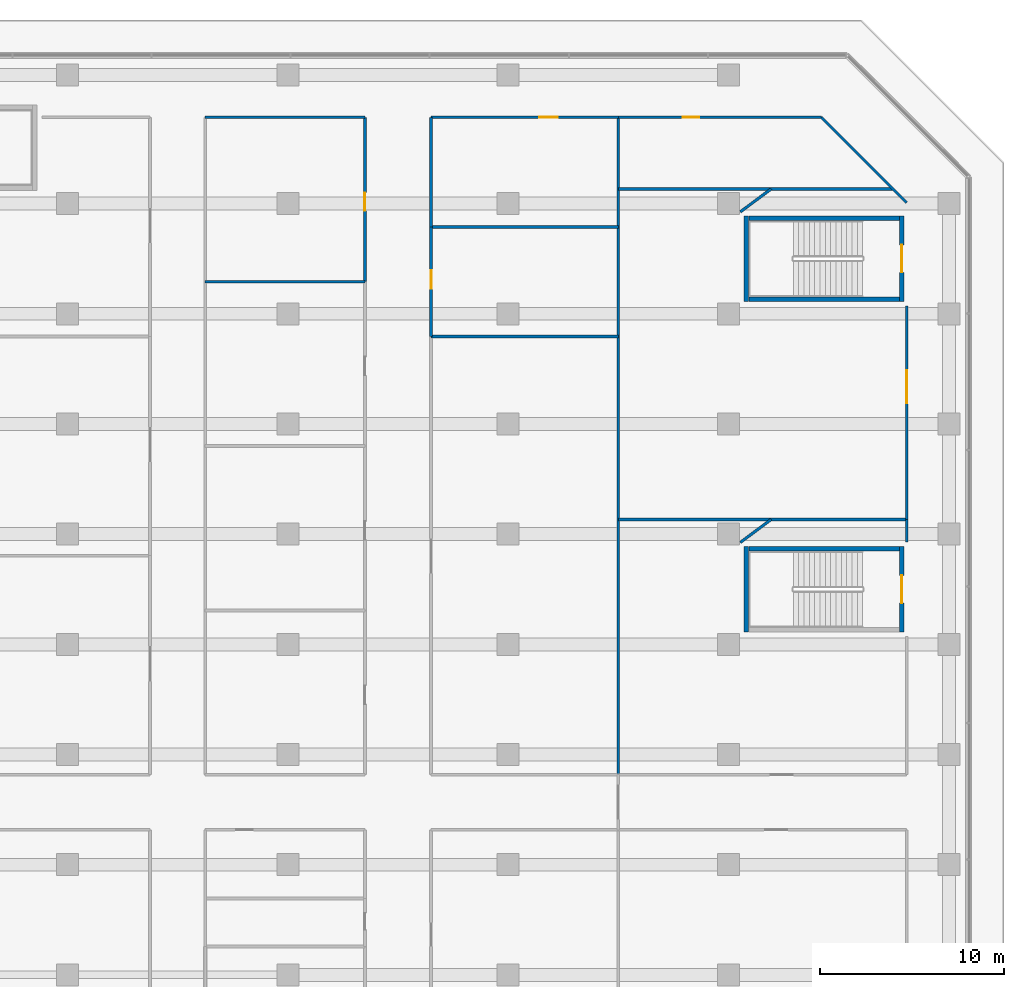
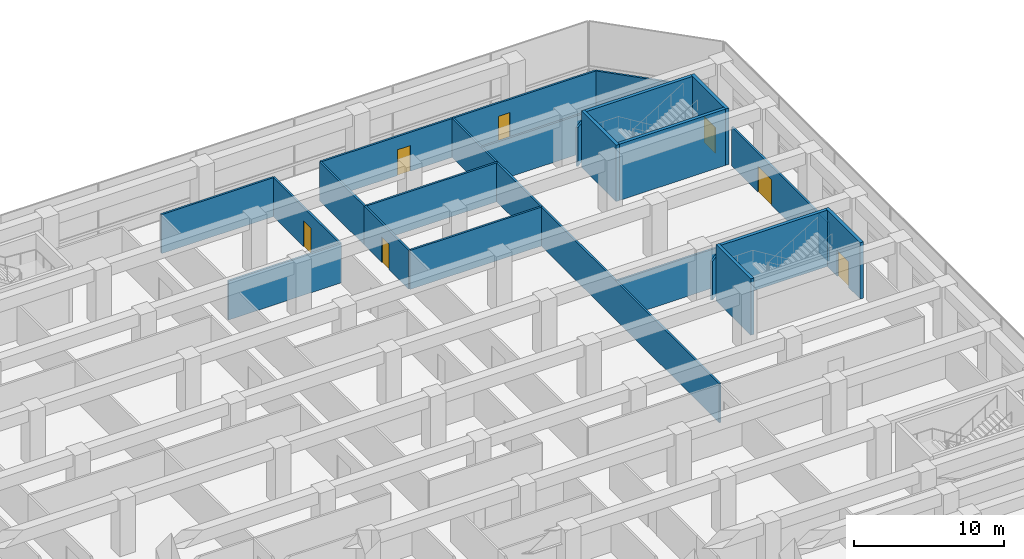
# One storey, part 32 of 40: 24 walls, 7 doors, 7 openings.
"""IFC4 building model written with IfcOpenShell, lengths in metres."""

from ifc_helpers import new_model, si_unit, direction, frame, frame_2d, origin, place, context, subcontext, project, spatial, rectangle, extrude, material, layer, layer_set, type_object, element, fill, save


model = new_model("IFC4")

# Units and contexts
model_context = context("Model", 3, precision=1e-05, world=origin(), true_north=direction((0.0, 1.0)))
body_context = subcontext(model_context, "Body", "Model", "MODEL_VIEW")
ifc_project = project(units=[si_unit("LENGTHUNIT", "METRE"), si_unit("AREAUNIT", "SQUARE_METRE"), si_unit("VOLUMEUNIT", "CUBIC_METRE"), si_unit("PLANEANGLEUNIT", "RADIAN"), si_unit("MASSUNIT", "GRAM", prefix="KILO")], contexts=[model_context])

# Site, building, storey
site_placement = place(None, origin())
site = spatial("IfcSite", under=ifc_project, at=site_placement, CompositionType="ELEMENT")
building_placement = place(site_placement, origin())
building = spatial("IfcBuilding", under=site, at=building_placement, Name="Welwitschia Terrace Campus", CompositionType="ELEMENT")
storey_placement = place(building_placement, frame((0.0, 0.0, 6.0)))
storey = spatial("IfcBuildingStorey", under=building, at=storey_placement, Name="L01", CompositionType="ELEMENT", Elevation=6.0)

# Wall
ifc_material_1 = material(Name="Concrete C50/60", Category="concrete")
ifc_layer_1 = layer(ifc_material_1, 0.25)
ifc_layer_set_1 = layer_set([ifc_layer_1], Name="Concrete C50/60")
wall_type_1 = type_object("IfcWallType", Name="Core wall 250 Concrete C50/60", PredefinedType="SHEAR", material=ifc_layer_set_1)
wall_1_placement = place(storey_placement, frame((84.97509765625, 56.675048828125, 0.0), z_axis=(0.0, 0.0, 1.0), x_axis=(0.0, 1.0, 0.0)))
element("IfcWall", 1, at=wall_1_placement, inside=storey, type_object=wall_type_1, Name="Core wall", PredefinedType="SHEAR", context=body_context, shape_type="SweptSolid", body=[
    extrude(rectangle(XDim=4.64990234375, YDim=0.25, at=frame_2d((2.324951171875, 0.0))), origin(), (0.0, 0.0, 1.0), 4.60009765625),
])

# Wall, opening, door
wall_2_placement = place(storey_placement, frame((93.425048828125, 61.324951171875, 0.0), z_axis=(0.0, 0.0, 1.0), x_axis=(0.0, -1.0, 0.0)))
wall_2 = element("IfcWall", 2, at=wall_2_placement, inside=storey, type_object=wall_type_1, Name="Core wall", PredefinedType="SHEAR", context=body_context, shape_type="SweptSolid", body=[
    extrude(rectangle(XDim=4.64990234375, YDim=0.25, at=frame_2d((2.324951171875, 0.0))), origin(), (0.0, 0.0, 1.0), 4.60009765625),
])
opening_1_placement = place(wall_2_placement, frame((1.574951171875, 0.0, 0.0)))
opening_1 = element("IfcOpeningElement", 3, at=opening_1_placement, cuts=wall_2, Name="Opening DS15", PredefinedType="OPENING", context=body_context, shape_type="SweptSolid", body=[
    extrude(rectangle(XDim=1.5, YDim=2.10009765625, at=frame_2d((0.75, 1.050048828125))), frame((0.0, 0.135009765625, 0.0), z_axis=(0.0, -1.0, 0.0), x_axis=(1.0, 0.0, 0.0)), (0.0, 0.0, 1.0), 0.27001953125),
])
ifc_material_2 = material(Name="Steel S275", Category="steel")
door_type_1 = type_object("IfcDoorType", Name="Core door DS15", OperationType="DOUBLE_DOOR_SINGLE_SWING", PredefinedType="DOOR", material=ifc_material_2)
door_1_placement = place(opening_1_placement, origin())
door_1 = element("IfcDoor", 4, at=door_1_placement, inside=storey, type_object=door_type_1, Name="Door P3", OperationType="DOUBLE_DOOR_SINGLE_SWING", OverallHeight=2.10009765625, OverallWidth=1.5, PredefinedType="DOOR", context=body_context, shape_type="SweptSolid", body=[
    extrude(rectangle(XDim=1.5, YDim=2.10009765625, at=frame_2d((0.75, 1.050048828125))), frame((0.0, 0.02490234375, 0.0), z_axis=(0.0, -1.0, 0.0), x_axis=(1.0, 0.0, 0.0)), (0.0, 0.0, 1.0), 0.050048828125),
])
fill(opening_1, door_1)

# Walls
for number, where, z_axis, x_axis, name in (
    (5, (85.10009765625, 56.800048828125, 0.0), (0.0, 0.0, 1.0), (1.0, 0.0, 0.0), "Core wall"),
    (6, (85.10009765625, 61.199951171875, 0.0), (0.0, 0.0, 1.0), (1.0, 0.0, 0.0), "Core wall"),
):
    element("IfcWall", number, at=place(storey_placement, frame(where, z_axis=z_axis, x_axis=x_axis)), inside=storey, type_object=wall_type_1, Name=name, PredefinedType="SHEAR", context=body_context, shape_type="SweptSolid", body=[
        extrude(rectangle(XDim=8.199951171875, YDim=0.25, at=frame_2d((4.10009765625, 0.0))), origin(), (0.0, 0.0, 1.0), 4.60009765625),
    ])
wall_3_placement = place(storey_placement, frame((84.97509765625, 38.675048828125, 0.0), z_axis=(0.0, 0.0, 1.0), x_axis=(0.0, 1.0, 0.0)))
element("IfcWall", 7, at=wall_3_placement, inside=storey, type_object=wall_type_1, Name="Core wall", PredefinedType="SHEAR", context=body_context, shape_type="SweptSolid", body=[
    extrude(rectangle(XDim=4.64990234375, YDim=0.25, at=frame_2d((2.324951171875, 0.0))), origin(), (0.0, 0.0, 1.0), 4.60009765625),
])

# Wall, opening, door
wall_4_placement = place(storey_placement, frame((93.425048828125, 43.324951171875, 0.0), z_axis=(0.0, 0.0, 1.0), x_axis=(0.0, -1.0, 0.0)))
wall_4 = element("IfcWall", 8, at=wall_4_placement, inside=storey, type_object=wall_type_1, Name="Core wall", PredefinedType="SHEAR", context=body_context, shape_type="SweptSolid", body=[
    extrude(rectangle(XDim=4.64990234375, YDim=0.25, at=frame_2d((2.324951171875, 0.0))), origin(), (0.0, 0.0, 1.0), 4.60009765625),
])
opening_2_placement = place(wall_4_placement, frame((1.574951171875, 0.0, 0.0)))
opening_2 = element("IfcOpeningElement", 9, at=opening_2_placement, cuts=wall_4, Name="Opening DS15", PredefinedType="OPENING", context=body_context, shape_type="SweptSolid", body=[
    extrude(rectangle(XDim=1.5, YDim=2.10009765625, at=frame_2d((0.75, 1.050048828125))), frame((0.0, 0.135009765625, 0.0), z_axis=(0.0, -1.0, 0.0), x_axis=(1.0, 0.0, 0.0)), (0.0, 0.0, 1.0), 0.27001953125),
])
door_2_placement = place(opening_2_placement, origin())
door_2 = element("IfcDoor", 10, at=door_2_placement, inside=storey, type_object=door_type_1, Name="Door P8", OperationType="DOUBLE_DOOR_SINGLE_SWING", OverallHeight=2.10009765625, OverallWidth=1.5, PredefinedType="DOOR", context=body_context, shape_type="SweptSolid", body=[
    extrude(rectangle(XDim=1.5, YDim=2.10009765625, at=frame_2d((0.75, 1.050048828125))), frame((0.0, 0.02490234375, 0.0), z_axis=(0.0, -1.0, 0.0), x_axis=(1.0, 0.0, 0.0)), (0.0, 0.0, 1.0), 0.050048828125),
])
fill(opening_2, door_2)

# Walls
wall_5_placement = place(storey_placement, frame((85.10009765625, 43.199951171875, 0.0), z_axis=(0.0, 0.0, 1.0), x_axis=(1.0, 0.0, 0.0)))
element("IfcWall", 11, at=wall_5_placement, inside=storey, type_object=wall_type_1, Name="Core wall", PredefinedType="SHEAR", context=body_context, shape_type="SweptSolid", body=[
    extrude(rectangle(XDim=8.199951171875, YDim=0.25, at=frame_2d((4.10009765625, 0.0))), origin(), (0.0, 0.0, 1.0), 4.60009765625),
])
ifc_material_3 = material(Name="Gypsum board on steel studs", Category="steel")
ifc_layer_2 = layer(ifc_material_3, 0.14990234375)
ifc_layer_set_2 = layer_set([ifc_layer_2], Name="Gypsum board on steel studs")
wall_type_2 = type_object("IfcWallType", Name="Corridor partition 150 EI 30", PredefinedType="PARTITIONING", material=ifc_layer_set_2)
for number, where, z_axis, x_axis, name in (
    (12, (55.5, 57.75, 0.0), (0.0, 0.0, 1.0), (1.0, 0.0, 0.0), "Partition"),
    (13, (55.5, 66.699951171875, 0.0), (0.0, 0.0, 1.0), (1.0, 0.0, 0.0), "Partition"),
):
    element("IfcWall", number, at=place(storey_placement, frame(where, z_axis=z_axis, x_axis=x_axis)), inside=storey, type_object=wall_type_2, Name=name, PredefinedType="PARTITIONING", context=body_context, shape_type="SweptSolid", body=[
        extrude(rectangle(XDim=8.699951171875, YDim=0.14990234375, at=frame_2d((4.35009765625, 0.0))), origin(), (0.0, 0.0, 1.0), 3.179931640625),
    ])

# Wall, opening, door
wall_6_placement = place(storey_placement, frame((64.199951171875, 57.75, 0.0), z_axis=(0.0, 0.0, 1.0), x_axis=(0.0, 1.0, 0.0)))
wall_6 = element("IfcWall", 14, at=wall_6_placement, inside=storey, type_object=wall_type_2, Name="Partition", PredefinedType="PARTITIONING", context=body_context, shape_type="SweptSolid", body=[
    extrude(rectangle(XDim=8.949951171875, YDim=0.14990234375, at=frame_2d((4.47509765625, 0.0))), origin(), (0.0, 0.0, 1.0), 3.179931640625),
])
opening_3_placement = place(wall_6_placement, frame((3.85009765625, 0.0, 0.0)))
opening_3 = element("IfcOpeningElement", 15, at=opening_3_placement, cuts=wall_6, Name="Opening DI10", PredefinedType="OPENING", context=body_context, shape_type="SweptSolid", body=[
    extrude(rectangle(XDim=1.0, YDim=2.10009765625, at=frame_2d((0.5, 1.050048828125))), frame((0.0, 0.0849609375, 0.0), z_axis=(0.0, -1.0, 0.0), x_axis=(1.0, 0.0, 0.0)), (0.0, 0.0, 1.0), 0.169921875),
])
ifc_material_4 = material(Name="Timber veneered door", Category="wood")
door_type_2 = type_object("IfcDoorType", Name="Interior door DI10", OperationType="NOTDEFINED", PredefinedType="DOOR", material=ifc_material_4)
door_3_placement = place(opening_3_placement, origin())
door_3 = element("IfcDoor", 16, at=door_3_placement, inside=storey, type_object=door_type_2, Name="Door L01 083", OperationType="SINGLE_SWING_RIGHT", OverallHeight=2.10009765625, OverallWidth=1.0, PredefinedType="DOOR", context=body_context, shape_type="SweptSolid", body=[
    extrude(rectangle(XDim=1.0, YDim=2.10009765625, at=frame_2d((0.5, 1.050048828125))), frame((0.0, 0.02490234375, 0.0), z_axis=(0.0, -1.0, 0.0), x_axis=(1.0, 0.0, 0.0)), (0.0, 0.0, 1.0), 0.050048828125),
])
fill(opening_3, door_3)

# Wall
wall_7_placement = place(storey_placement, frame((67.800048828125, 54.77001953125, 0.0), z_axis=(0.0, 0.0, 1.0), x_axis=(1.0, 0.0, 0.0)))
element("IfcWall", 17, at=wall_7_placement, inside=storey, type_object=wall_type_2, Name="Partition", PredefinedType="PARTITIONING", context=body_context, shape_type="SweptSolid", body=[
    extrude(rectangle(XDim=10.199951171875, YDim=0.14990234375, at=frame_2d((5.10009765625, 0.0))), origin(), (0.0, 0.0, 1.0), 3.179931640625),
])

# Wall, opening, door
wall_8_placement = place(storey_placement, frame((67.800048828125, 60.72998046875, 0.0), z_axis=(0.0, 0.0, 1.0), x_axis=(0.0, -1.0, 0.0)))
wall_8 = element("IfcWall", 18, at=wall_8_placement, inside=storey, type_object=wall_type_2, Name="Partition", PredefinedType="PARTITIONING", context=body_context, shape_type="SweptSolid", body=[
    extrude(rectangle(XDim=5.9599609375, YDim=0.14990234375, at=frame_2d((2.97998046875, 0.0))), origin(), (0.0, 0.0, 1.0), 3.179931640625),
])
opening_4_placement = place(wall_8_placement, frame((2.360107421875, 0.0, 0.0)))
opening_4 = element("IfcOpeningElement", 19, at=opening_4_placement, cuts=wall_8, Name="Opening DI10", PredefinedType="OPENING", context=body_context, shape_type="SweptSolid", body=[
    extrude(rectangle(XDim=1.0, YDim=2.10009765625, at=frame_2d((0.5, 1.050048828125))), frame((0.0, 0.0849609375, 0.0), z_axis=(0.0, -1.0, 0.0), x_axis=(1.0, 0.0, 0.0)), (0.0, 0.0, 1.0), 0.169921875),
])
door_4_placement = place(opening_4_placement, origin())
door_4 = element("IfcDoor", 20, at=door_4_placement, inside=storey, type_object=door_type_2, Name="Door L01 087", OperationType="SINGLE_SWING_RIGHT", OverallHeight=2.10009765625, OverallWidth=1.0, PredefinedType="DOOR", context=body_context, shape_type="SweptSolid", body=[
    extrude(rectangle(XDim=1.0, YDim=2.10009765625, at=frame_2d((0.5, 1.050048828125))), frame((0.0, 0.02490234375, 0.0), z_axis=(0.0, -1.0, 0.0), x_axis=(1.0, 0.0, 0.0)), (0.0, 0.0, 1.0), 0.050048828125),
])
fill(opening_4, door_4)

# Walls
wall_9_placement = place(storey_placement, frame((67.800048828125, 60.72998046875, 0.0), z_axis=(0.0, 0.0, 1.0), x_axis=(0.0, 1.0, 0.0)))
element("IfcWall", 21, at=wall_9_placement, inside=storey, type_object=wall_type_2, Name="Partition", PredefinedType="PARTITIONING", context=body_context, shape_type="SweptSolid", body=[
    extrude(rectangle(XDim=5.969970703125, YDim=0.14990234375, at=frame_2d((2.98486328125, 0.0))), origin(), (0.0, 0.0, 1.0), 3.179931640625),
])
wall_10_placement = place(storey_placement, frame((67.800048828125, 60.72998046875, 0.0), z_axis=(0.0, 0.0, 1.0), x_axis=(1.0, 0.0, 0.0)))
element("IfcWall", 22, at=wall_10_placement, inside=storey, type_object=wall_type_2, Name="Partition", PredefinedType="PARTITIONING", context=body_context, shape_type="SweptSolid", body=[
    extrude(rectangle(XDim=10.199951171875, YDim=0.14990234375, at=frame_2d((5.10009765625, 0.0))), origin(), (0.0, 0.0, 1.0), 3.179931640625),
])
wall_11_placement = place(storey_placement, frame((78.0, 30.89990234375, 0.0), z_axis=(0.0, 0.0, 1.0), x_axis=(0.0, 1.0, 0.0)))
element("IfcWall", 23, at=wall_11_placement, inside=storey, type_object=wall_type_2, Name="Partition", PredefinedType="PARTITIONING", context=body_context, shape_type="SweptSolid", body=[
    extrude(rectangle(XDim=35.800048828125, YDim=0.14990234375, at=frame_2d((17.89990234375, 0.0))), origin(), (0.0, 0.0, 1.0), 3.179931640625),
])
wall_12_placement = place(storey_placement, frame((78.0, 44.800048828125, 0.0), z_axis=(0.0, 0.0, 1.0), x_axis=(1.0, 0.0, 0.0)))
element("IfcWall", 24, at=wall_12_placement, inside=storey, type_object=wall_type_2, Name="Partition", PredefinedType="PARTITIONING", context=body_context, shape_type="SweptSolid", body=[
    extrude(rectangle(XDim=15.699951171875, YDim=0.14990234375, at=frame_2d((7.85009765625, 0.0))), origin(), (0.0, 0.0, 1.0), 3.179931640625),
])
wall_13_placement = place(storey_placement, frame((78.0, 62.800048828125, 0.0), z_axis=(0.0, 0.0, 1.0), x_axis=(1.0, 0.0, 0.0)))
element("IfcWall", 25, at=wall_13_placement, inside=storey, type_object=wall_type_2, Name="Partition", PredefinedType="PARTITIONING", context=body_context, shape_type="SweptSolid", body=[
    extrude(rectangle(XDim=14.949951171875, YDim=0.14990234375, at=frame_2d((7.47509765625, 0.0))), origin(), (0.0, 0.0, 1.0), 3.179931640625),
])

# Wall, opening, door
wall_14_placement = place(storey_placement, frame((78.0, 66.699951171875, 0.0), z_axis=(0.0, 0.0, 1.0), x_axis=(-1.0, 0.0, 0.0)))
wall_14 = element("IfcWall", 26, at=wall_14_placement, inside=storey, type_object=wall_type_2, Name="Partition", PredefinedType="PARTITIONING", context=body_context, shape_type="SweptSolid", body=[
    extrude(rectangle(XDim=10.199951171875, YDim=0.14990234375, at=frame_2d((5.10009765625, 0.0))), origin(), (0.0, 0.0, 1.0), 3.179931640625),
])
opening_5_placement = place(wall_14_placement, frame((3.300048828125, 0.0, 0.0)))
opening_5 = element("IfcOpeningElement", 27, at=opening_5_placement, cuts=wall_14, Name="Opening DI10", PredefinedType="OPENING", context=body_context, shape_type="SweptSolid", body=[
    extrude(rectangle(XDim=1.0, YDim=2.10009765625, at=frame_2d((0.5, 1.050048828125))), frame((0.0, 0.0849609375, 0.0), z_axis=(0.0, -1.0, 0.0), x_axis=(1.0, 0.0, 0.0)), (0.0, 0.0, 1.0), 0.169921875),
])
door_5_placement = place(opening_5_placement, origin())
door_5 = element("IfcDoor", 28, at=door_5_placement, inside=storey, type_object=door_type_2, Name="Door L01 090", OperationType="SINGLE_SWING_LEFT", OverallHeight=2.10009765625, OverallWidth=1.0, PredefinedType="DOOR", context=body_context, shape_type="SweptSolid", body=[
    extrude(rectangle(XDim=1.0, YDim=2.10009765625, at=frame_2d((0.5, 1.050048828125))), frame((0.0, 0.02490234375, 0.0), z_axis=(0.0, -1.0, 0.0), x_axis=(1.0, 0.0, 0.0)), (0.0, 0.0, 1.0), 0.050048828125),
])
fill(opening_5, door_5)

# Walls
for number, where, z_axis, x_axis, name in (
    (29, (84.639892578125, 43.550048828125, 0.0), (0.0, 0.0, 1.0), (0.802316318144, 0.596899091673, 0.0), "Partition"),
    (30, (84.639892578125, 61.550048828125, 0.0), (0.0, 0.0, 1.0), (0.802316318144, 0.596899091673, 0.0), "Partition"),
):
    element("IfcWall", number, at=place(storey_placement, frame(where, z_axis=z_axis, x_axis=x_axis)), inside=storey, type_object=wall_type_2, Name=name, PredefinedType="PARTITIONING", context=body_context, shape_type="SweptSolid", body=[
        extrude(rectangle(XDim=2.09423828125, YDim=0.14990234375, at=frame_2d((1.047119140625, 0.0))), origin(), (0.0, 0.0, 1.0), 3.179931640625),
    ])

# Wall, opening, door
wall_15_placement = place(storey_placement, frame((89.050048828125, 66.699951171875, 0.0), z_axis=(0.0, 0.0, 1.0), x_axis=(-1.0, 0.0, 0.0)))
wall_15 = element("IfcWall", 31, at=wall_15_placement, inside=storey, type_object=wall_type_2, Name="Partition", PredefinedType="PARTITIONING", context=body_context, shape_type="SweptSolid", body=[
    extrude(rectangle(XDim=11.050048828125, YDim=0.14990234375, at=frame_2d((5.52490234375, 0.0))), origin(), (0.0, 0.0, 1.0), 3.179931640625),
])
opening_6_placement = place(wall_15_placement, frame((6.64990234375, 0.0, 0.0)))
opening_6 = element("IfcOpeningElement", 32, at=opening_6_placement, cuts=wall_15, Name="Opening DI09", PredefinedType="OPENING", context=body_context, shape_type="SweptSolid", body=[
    extrude(rectangle(XDim=0.89990234375, YDim=2.10009765625, at=frame_2d((0.449951171875, 1.050048828125))), frame((0.0, 0.0849609375, 0.0), z_axis=(0.0, -1.0, 0.0), x_axis=(1.0, 0.0, 0.0)), (0.0, 0.0, 1.0), 0.169921875),
])
ifc_material_5 = material(Name="Timber veneered door", Category="wood")
door_type_3 = type_object("IfcDoorType", Name="Interior door DI09", OperationType="NOTDEFINED", PredefinedType="DOOR", material=ifc_material_5)
door_6_placement = place(opening_6_placement, origin())
door_6 = element("IfcDoor", 33, at=door_6_placement, inside=storey, type_object=door_type_3, Name="Door L01 091", OperationType="SINGLE_SWING_RIGHT", OverallHeight=2.10009765625, OverallWidth=0.89990234375, PredefinedType="DOOR", context=body_context, shape_type="SweptSolid", body=[
    extrude(rectangle(XDim=0.89990234375, YDim=2.10009765625, at=frame_2d((0.449951171875, 1.050048828125))), frame((0.0, 0.02490234375, 0.0), z_axis=(0.0, -1.0, 0.0), x_axis=(1.0, 0.0, 0.0)), (0.0, 0.0, 1.0), 0.050048828125),
])
fill(opening_6, door_6)

# Walls
wall_16_placement = place(storey_placement, frame((89.050048828125, 66.699951171875, 0.0), z_axis=(0.0, 0.0, 1.0), x_axis=(0.707106781187, -0.707106781187, 0.0)))
element("IfcWall", 34, at=wall_16_placement, inside=storey, type_object=wall_type_2, Name="Partition", PredefinedType="PARTITIONING", context=body_context, shape_type="SweptSolid", body=[
    extrude(rectangle(XDim=6.575927734375, YDim=0.14990234375, at=frame_2d((3.2880859375, 0.0))), origin(), (0.0, 0.0, 1.0), 3.179931640625),
])
wall_17_placement = place(storey_placement, frame((93.699951171875, 43.580078125, 0.0), z_axis=(0.0, 0.0, 1.0), x_axis=(0.0, 1.0, 0.0)))
element("IfcWall", 35, at=wall_17_placement, inside=storey, type_object=wall_type_2, Name="Partition", PredefinedType="PARTITIONING", context=body_context, shape_type="SweptSolid", body=[
    extrude(rectangle(XDim=1.219970703125, YDim=0.14990234375, at=frame_2d((0.60986328125, 0.0))), origin(), (0.0, 0.0, 1.0), 3.179931640625),
])

# Wall, opening, door
wall_18_placement = place(storey_placement, frame((93.699951171875, 56.429931640625, 0.0), z_axis=(0.0, 0.0, 1.0), x_axis=(0.0, -1.0, 0.0)))
wall_18 = element("IfcWall", 36, at=wall_18_placement, inside=storey, type_object=wall_type_2, Name="Partition", PredefinedType="PARTITIONING", context=body_context, shape_type="SweptSolid", body=[
    extrude(rectangle(XDim=11.6298828125, YDim=0.14990234375, at=frame_2d((5.81494140625, 0.0))), origin(), (0.0, 0.0, 1.0), 3.179931640625),
])
opening_7_placement = place(wall_18_placement, frame((3.5, 0.0, 0.0)))
opening_7 = element("IfcOpeningElement", 37, at=opening_7_placement, cuts=wall_18, Name="Opening DI18", PredefinedType="OPENING", context=body_context, shape_type="SweptSolid", body=[
    extrude(rectangle(XDim=1.800048828125, YDim=2.10009765625, at=frame_2d((0.89990234375, 1.050048828125))), frame((0.0, 0.0849609375, 0.0), z_axis=(0.0, -1.0, 0.0), x_axis=(1.0, 0.0, 0.0)), (0.0, 0.0, 1.0), 0.169921875),
])
ifc_material_6 = material(Name="Timber veneered door", Category="wood")
door_type_4 = type_object("IfcDoorType", Name="Interior door DI18", OperationType="DOUBLE_DOOR_SINGLE_SWING", PredefinedType="DOOR", material=ifc_material_6)
door_7_placement = place(opening_7_placement, origin())
door_7 = element("IfcDoor", 38, at=door_7_placement, inside=storey, type_object=door_type_4, Name="Door L01 094", OperationType="SINGLE_SWING_LEFT", OverallHeight=2.10009765625, OverallWidth=1.800048828125, PredefinedType="DOOR", context=body_context, shape_type="SweptSolid", body=[
    extrude(rectangle(XDim=1.800048828125, YDim=2.10009765625, at=frame_2d((0.89990234375, 1.050048828125))), frame((0.0, 0.02490234375, 0.0), z_axis=(0.0, -1.0, 0.0), x_axis=(1.0, 0.0, 0.0)), (0.0, 0.0, 1.0), 0.050048828125),
])
fill(opening_7, door_7)

save(model, "model.ifc")
